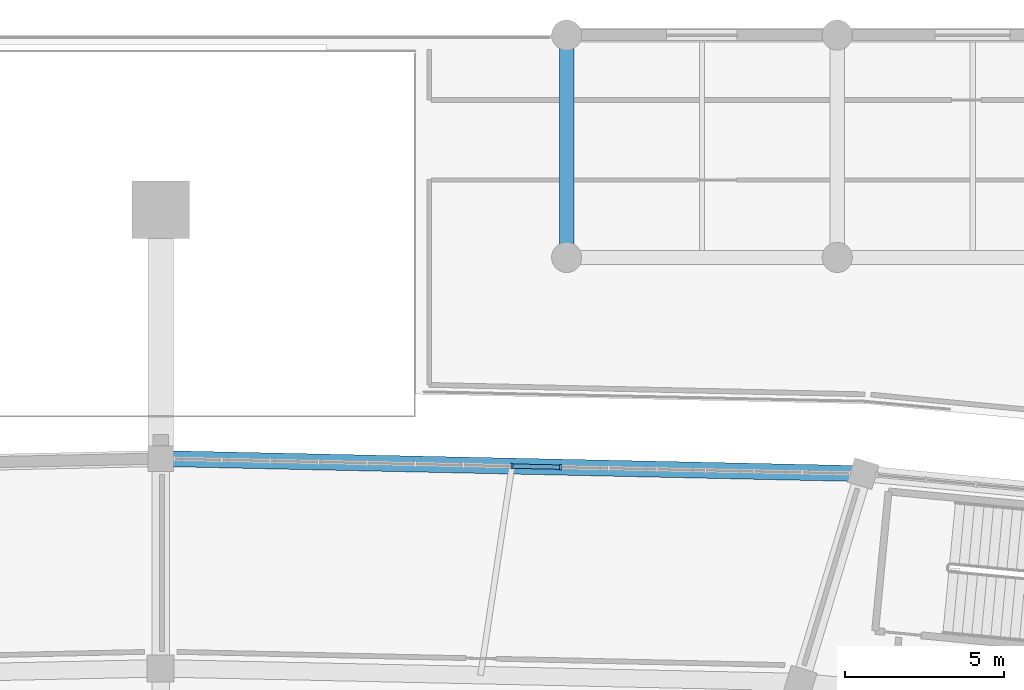
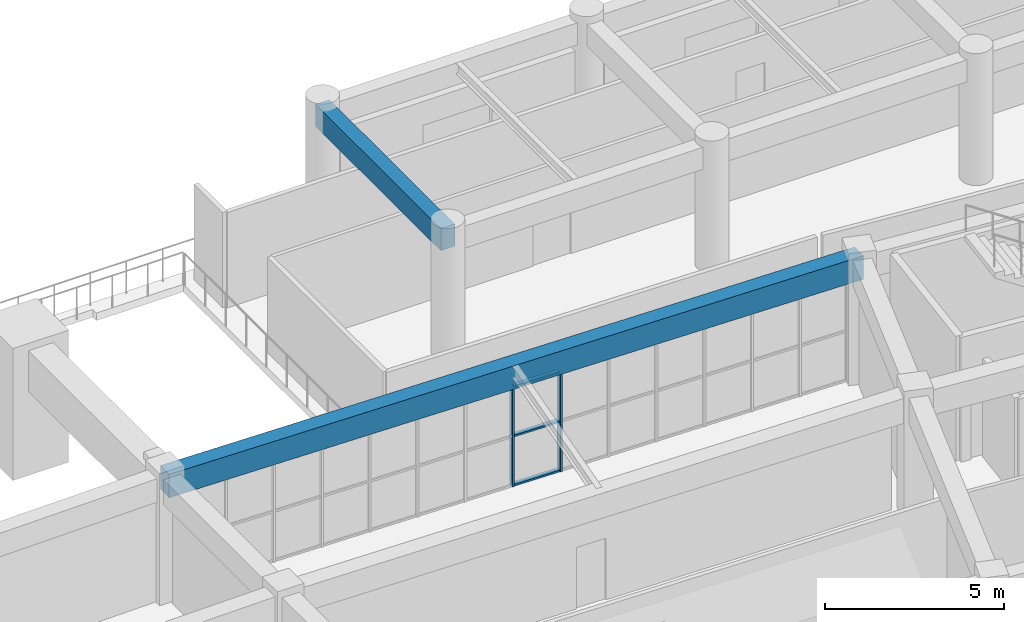
# One storey, part 68 of 145: 5 members, 2 beams, 1 element without a shape of its own.
"""IFC4 building model written with IfcOpenShell, lengths in metres."""

from ifc_helpers import new_model, si_unit, direction, frame, origin, origin_2d, place, context, subcontext, project, spatial, rectangle, extrude, material, layer, layer_set, material_profile, profile_set, type_object, element, aggregate, save


model = new_model("IFC4")

# Units and contexts
model_context = context("Model", 3, precision=1e-05, world=origin(), true_north=direction((0.0, 1.0)))
body_context = subcontext(model_context, "Body", "Model", "MODEL_VIEW")
ifc_project = project(units=[si_unit("LENGTHUNIT", "METRE"), si_unit("AREAUNIT", "SQUARE_METRE"), si_unit("VOLUMEUNIT", "CUBIC_METRE"), si_unit("PLANEANGLEUNIT", "RADIAN"), si_unit("MASSUNIT", "GRAM", prefix="KILO")], contexts=[model_context])

# Site, building, storey
site_placement = place(None, origin())
site = spatial("IfcSite", under=ifc_project, at=site_placement, CompositionType="ELEMENT")
building_placement = place(site_placement, origin())
building = spatial("IfcBuilding", under=site, at=building_placement, Name="Mphavela Belvedere Stadium", CompositionType="ELEMENT")
storey_placement = place(building_placement, frame((0.0, 0.0, 10.199951171875)))
storey = spatial("IfcBuildingStorey", under=building, at=storey_placement, Name="L02", CompositionType="ELEMENT", Elevation=10.199951171875)

# Beams
ifc_material_1 = material(Name="Concrete C40/50", Category="concrete")
ifc_material_profile_1 = material_profile(ifc_material_1, rectangle(XDim=0.449951171875, YDim=0.75, at=origin_2d()), Name="RC 450x750")
ifc_profile_set_1 = profile_set([ifc_material_profile_1], Name="Concrete C40/50")
beam_type_1 = type_object("IfcBeamType", Name="BM-RC450x750", PredefinedType="BEAM", material=ifc_profile_set_1)
beam_1_placement = place(storey_placement, frame((127.778076171875, 167.0, 3.864990234375), z_axis=(0.0, 1.0, 0.0), x_axis=(-1.0, 0.0, 0.0)))
element("IfcBeam", 1, at=beam_1_placement, inside=storey, type_object=beam_type_1, Name="North Mast and Ceremonial End Forecourt entablature beam Y L02 16-7", PredefinedType="BEAM", context=body_context, shape_type="SweptSolid", body=[
    extrude(rectangle(XDim=0.449951171875, YDim=0.75, at=origin_2d()), origin(), (0.0, 0.0, 1.0), 7.0),
])
ifc_material_2 = material(Name="Concrete C40/50", Category="concrete")
ifc_material_profile_2 = material_profile(ifc_material_2, rectangle(XDim=0.5, YDim=0.800048828125, at=origin_2d()), Name="RC 500x800")
ifc_profile_set_2 = profile_set([ifc_material_profile_2], Name="Concrete C40/50")
beam_type_2 = type_object("IfcBeamType", Name="BM-SPANDREL-800", PredefinedType="SPANDREL", material=ifc_profile_set_2)
beam_2_placement = place(storey_placement, frame((137.114501953125, 160.19384765625, 3.85009765625), z_axis=(-0.999768359718, 0.021522706765, 0.0), x_axis=(-0.021522706765, -0.999768359718, 0.0)))
element("IfcBeam", 2, at=beam_2_placement, inside=storey, type_object=beam_type_2, Name="Circumferential girder L02 R4-12", PredefinedType="SPANDREL", context=body_context, shape_type="SweptSolid", body=[
    extrude(rectangle(XDim=0.5, YDim=0.800048828125, at=origin_2d()), origin(), (0.0, 0.0, 1.0), 22.11962890625),
])

# Curtain wall, members
ifc_material_3 = material(Name="Anodised bronze unitised curtain wall framing")
ifc_layer = layer(ifc_material_3, 0.179931640625)
ifc_layer_set = layer_set([ifc_layer], Name="Anodised bronze unitised curtain wall framing")
curtain_wall_type = type_object("IfcCurtainWallType", Name="CW-UNIT-01", PredefinedType="USERDEFINED", material=ifc_layer_set)
curtain_wall_placement = place(storey_placement, origin())
curtain_wall = element("IfcCurtainWall", 3, at=curtain_wall_placement, inside=storey, type_object=curtain_wall_type, Name="Belvedere colonnade curtain wall L02-12", ObjectType="UNITISED CURTAIN WALL", PredefinedType="USERDEFINED")
ifc_material_4 = material(Name="Anodised bronze extruded aluminium", Category="aluminium")
ifc_material_profile_3 = material_profile(ifc_material_4, rectangle(XDim=0.179931640625, YDim=0.06494140625, at=origin_2d()), Name="CW-MUL 180x65")
ifc_profile_set_3 = profile_set([ifc_material_profile_3], Name="Anodised bronze extruded aluminium")
member_type_1 = type_object("IfcMemberType", Name="CWM-180x65", PredefinedType="MULLION", material=ifc_profile_set_3)
member_1_placement = place(storey_placement, frame((127.580078125, 160.399169921875, 0.0), z_axis=(0.0, 0.0, 1.0), x_axis=(-0.021525304021, -0.999768303802, 0.0)))
member_1 = element("IfcMember", 4, at=member_1_placement, type_object=member_type_1, Name="CW-01 mullion 7", PredefinedType="MULLION", context=body_context, shape_type="SweptSolid", body=[
    extrude(rectangle(XDim=0.179931640625, YDim=0.06494140625, at=origin_2d()), origin(), (0.0, 0.0, 1.0), 3.420166015625),
])
member_2_placement = place(storey_placement, frame((126.057373046875, 160.431884765625, 0.0), z_axis=(0.0, 0.0, 1.0), x_axis=(-0.021525304021, -0.999768303802, 0.0)))
member_2 = element("IfcMember", 5, at=member_2_placement, type_object=member_type_1, Name="CW-01 mullion 8", PredefinedType="MULLION", context=body_context, shape_type="SweptSolid", body=[
    extrude(rectangle(XDim=0.179931640625, YDim=0.06494140625, at=origin_2d()), origin(), (0.0, 0.0, 1.0), 3.420166015625),
])
ifc_material_5 = material(Name="Anodised bronze extruded aluminium", Category="aluminium")
ifc_material_profile_4 = material_profile(ifc_material_5, rectangle(XDim=0.139892578125, YDim=0.06005859375, at=origin_2d()), Name="CW-TRN 140x60")
ifc_profile_set_4 = profile_set([ifc_material_profile_4], Name="Anodised bronze extruded aluminium")
member_type_2 = type_object("IfcMemberType", Name="CWT-140x60", PredefinedType="USERDEFINED", material=ifc_profile_set_4)
member_3_placement = place(storey_placement, frame((127.547607421875, 160.39990234375, 0.030029296875), z_axis=(-0.999770307851, 0.021432021337, 0.0), x_axis=(-0.021432021337, -0.999770307851, 0.0)))
member_3 = element("IfcMember", 6, at=member_3_placement, type_object=member_type_2, Name="CW-01 transom 7.1", ObjectType="TRANSOM", PredefinedType="USERDEFINED", context=body_context, shape_type="SweptSolid", body=[
    extrude(rectangle(XDim=0.139892578125, YDim=0.06005859375, at=origin_2d()), origin(), (0.0, 0.0, 1.0), 1.4580078125),
])
member_4_placement = place(storey_placement, frame((127.547607421875, 160.39990234375, 1.7099609375), z_axis=(-0.999770307851, 0.021432021337, 0.0), x_axis=(-0.021432021337, -0.999770307851, 0.0)))
member_4 = element("IfcMember", 7, at=member_4_placement, type_object=member_type_2, Name="CW-01 transom 7.2", ObjectType="TRANSOM", PredefinedType="USERDEFINED", context=body_context, shape_type="SweptSolid", body=[
    extrude(rectangle(XDim=0.139892578125, YDim=0.06005859375, at=origin_2d()), origin(), (0.0, 0.0, 1.0), 1.4580078125),
])
member_5_placement = place(storey_placement, frame((127.547607421875, 160.39990234375, 3.39013671875), z_axis=(-0.999770307851, 0.021432021337, 0.0), x_axis=(-0.021432021337, -0.999770307851, 0.0)))
member_5 = element("IfcMember", 8, at=member_5_placement, type_object=member_type_2, Name="CW-01 transom 7.3", ObjectType="TRANSOM", PredefinedType="USERDEFINED", context=body_context, shape_type="SweptSolid", body=[
    extrude(rectangle(XDim=0.139892578125, YDim=0.06005859375, at=origin_2d()), origin(), (0.0, 0.0, 1.0), 1.4580078125),
])
aggregate(curtain_wall, [member_1, member_2, member_3, member_4, member_5])

save(model, "model.ifc")
